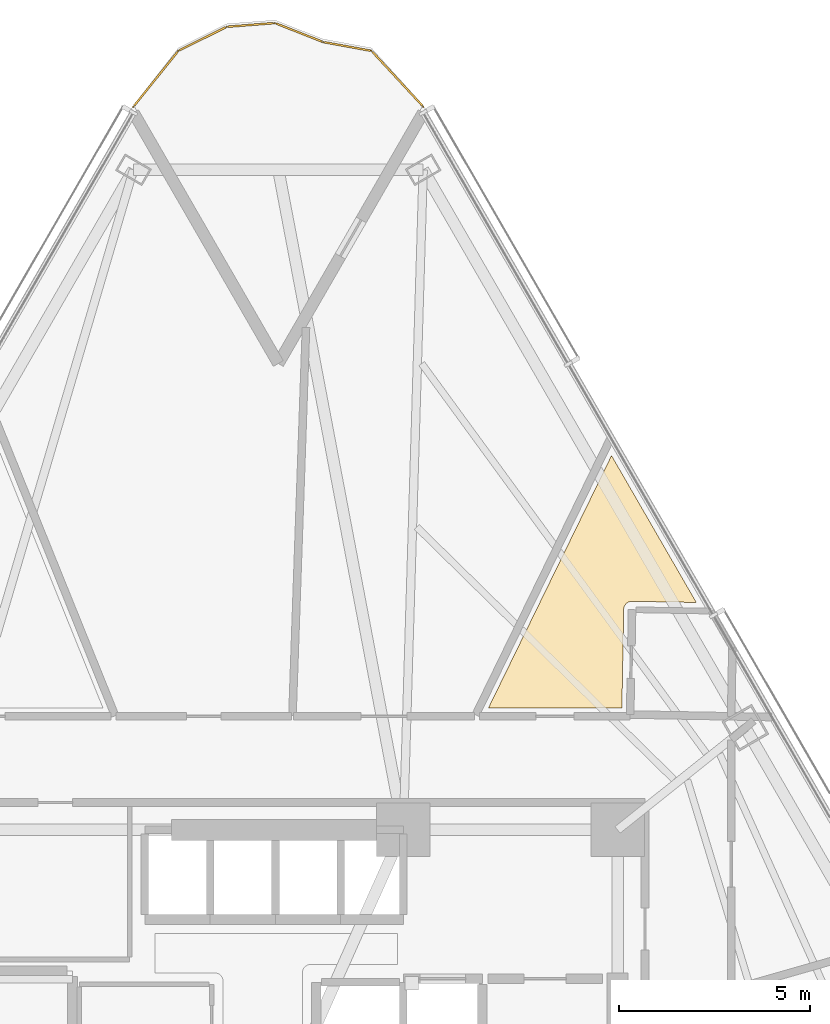
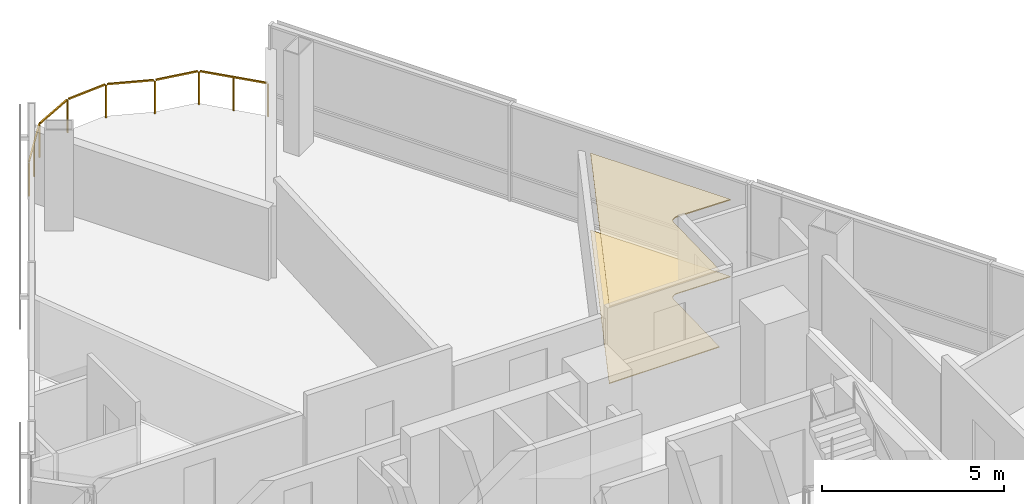
# One storey, part 16 of 16: 2 coverings, 1 railing.
"""IFC4 building model written with IfcOpenShell, lengths in metres."""

from ifc_helpers import new_model, si_unit, direction, frame, origin, origin_2d, place, context, subcontext, project, spatial, polyline, rectangle, outline, extrude, material, layer, layer_set, type_object, element, save


model = new_model("IFC4")

# Units and contexts
model_context = context("Model", 3, precision=1e-05, world=origin(), true_north=direction((0.0, 1.0)))
body_context = subcontext(model_context, "Body", "Model", "MODEL_VIEW")
ifc_project = project(units=[si_unit("LENGTHUNIT", "METRE"), si_unit("AREAUNIT", "SQUARE_METRE"), si_unit("VOLUMEUNIT", "CUBIC_METRE"), si_unit("PLANEANGLEUNIT", "RADIAN"), si_unit("MASSUNIT", "GRAM", prefix="KILO")], contexts=[model_context])

# Site, building, storey
site_placement = place(None, origin())
site = spatial("IfcSite", under=ifc_project, at=site_placement, CompositionType="ELEMENT")
building_placement = place(site_placement, origin())
building = spatial("IfcBuilding", under=site, at=building_placement, Name="Tharavind Bronze Gate", CompositionType="ELEMENT")
storey_placement = place(building_placement, frame((0.0, 0.0, 45.449951171875)))
storey = spatial("IfcBuildingStorey", under=building, at=storey_placement, Name="L10", CompositionType="ELEMENT", Elevation=45.449951171875)

# Coverings
ifc_material_1 = material(Name="Engineered Oak & Carpet Tile", Category="wood")
ifc_layer_1 = layer(ifc_material_1, 0.02490234375)
ifc_layer_set_1 = layer_set([ifc_layer_1], Name="Engineered Oak & Carpet Tile")
covering_type_1 = type_object("IfcCoveringType", Name="ENGINEERED TIMBER FLOORING", PredefinedType="FLOORING", material=ifc_layer_set_1)
covering_1_placement = place(storey_placement, origin())
element("IfcCovering", 1, at=covering_1_placement, inside=storey, type_object=covering_type_1, Name="L10-RM-02 floor finish", PredefinedType="FLOORING", context=body_context, shape_type="SweptSolid", body=[
    extrude(outline(polyline([(9.013427734375, 10.800048828125), (9.06005859375, 13.381103515625), (9.061279296875, 13.40283203125), (9.06494140625, 13.424072265625), (9.070556640625, 13.44482421875), (9.078125, 13.465087890625), (9.087890625, 13.484619140625), (9.099365234375, 13.502685546875), (9.1123046875, 13.52001953125), (9.127197265625, 13.53564453125), (9.1435546875, 13.5498046875), (9.160888671875, 13.5625), (9.1796875, 13.572998046875), (9.199462890625, 13.58203125), (9.219970703125, 13.5888671875), (9.240966796875, 13.59375), (9.26220703125, 13.5966796875), (9.283935546875, 13.59716796875), (10.9658203125, 13.56689453125), (8.7412109375, 17.419921875), (5.51220703125, 10.800048828125), (9.013427734375, 10.800048828125)])), origin(), (0.0, 0.0, 1.0), 0.025146484375),
])
ifc_material_2 = material(Name="Acoustic Gypsum Board", Category="gypsum")
ifc_layer_2 = layer(ifc_material_2, 0.030029296875)
ifc_layer_set_2 = layer_set([ifc_layer_2], Name="Acoustic Gypsum Board")
covering_type_2 = type_object("IfcCoveringType", Name="GYPSUM SUSPENDED CEILING", PredefinedType="CEILING", material=ifc_layer_set_2)
covering_2_placement = place(storey_placement, frame((0.0, 0.0, 2.574951171875)))
element("IfcCovering", 2, at=covering_2_placement, inside=storey, type_object=covering_type_2, Name="L10-RM-02 suspended ceiling", PredefinedType="CEILING", context=body_context, shape_type="SweptSolid", body=[
    extrude(outline(polyline([(9.013427734375, 10.800048828125), (9.06005859375, 13.381103515625), (9.061279296875, 13.40283203125), (9.06494140625, 13.424072265625), (9.070556640625, 13.44482421875), (9.078125, 13.465087890625), (9.087890625, 13.484619140625), (9.099365234375, 13.502685546875), (9.1123046875, 13.52001953125), (9.127197265625, 13.53564453125), (9.1435546875, 13.5498046875), (9.160888671875, 13.5625), (9.1796875, 13.572998046875), (9.199462890625, 13.58203125), (9.219970703125, 13.5888671875), (9.240966796875, 13.59375), (9.26220703125, 13.5966796875), (9.283935546875, 13.59716796875), (10.9658203125, 13.56689453125), (8.7412109375, 17.419921875), (5.51220703125, 10.800048828125), (9.013427734375, 10.800048828125)])), origin(), (0.0, 0.0, 1.0), 0.03515625),
])

# Railing
ifc_material_3 = material(Name="Bronze Cap & Laminated Glass", Category="glass")
railing_type = type_object("IfcRailingType", Name="TERRACE GLASS GUARD RAILING 1150", PredefinedType="GUARDRAIL", material=ifc_material_3)
railing_placement = place(storey_placement, frame((-3.800048828125, 26.578125, 0.0)))
element("IfcRailing", 3, at=railing_placement, inside=storey, type_object=railing_type, Name="L10 tree balcony guard railing", PredefinedType="GUARDRAIL", context=body_context, shape_type="SweptSolid", body=[
    extrude(rectangle(XDim=0.048095703125, YDim=0.048095703125, at=origin_2d()), frame((0.02001953125, 0.02490234375, 1.1259765625), z_axis=(0.627706650624, 0.778449973192, 0.0), x_axis=(-0.778449973192, 0.627706650624, 0.0)), (0.0, 0.0, 1.0), 1.8115234375),
    extrude(rectangle(XDim=0.048095703125, YDim=0.048095703125, at=origin_2d()), frame((1.205810546875, 1.47412109375, 1.1259765625), z_axis=(0.89511626958, 0.445832775751, 0.0), x_axis=(-0.445832775751, 0.89511626958, 0.0)), (0.0, 0.0, 1.0), 1.35107421875),
    extrude(rectangle(XDim=0.048095703125, YDim=0.048095703125, at=origin_2d()), frame((2.475830078125, 2.09326171875, 1.1259765625), z_axis=(0.996951873955, 0.078018978571, 0.0), x_axis=(-0.078018978571, 0.996951873955, 0.0)), (0.0, 0.0, 1.0), 1.20654296875),
    extrude(rectangle(XDim=0.048095703125, YDim=0.048095703125, at=origin_2d()), frame((3.740234375, 2.17822265625, 1.1259765625), z_axis=(0.930539907569, -0.366190497448, 0.0), x_axis=(0.366190497448, 0.930539907569, 0.0)), (0.0, 0.0, 1.0), 1.29736328125),
    extrude(rectangle(XDim=0.048095703125, YDim=0.048095703125, at=origin_2d()), frame((5.0087890625, 1.685546875, 1.1259765625), z_axis=(0.983711769564, -0.179753037307, 0.0), x_axis=(0.179753037307, 0.983711769564, 0.0)), (0.0, 0.0, 1.0), 1.2236328125),
    extrude(rectangle(XDim=0.048095703125, YDim=0.048095703125, at=origin_2d()), frame((6.265625, 1.4365234375, 1.1259765625), z_axis=(0.680592067339, -0.732662567541, 0.0), x_axis=(0.732662567541, 0.680592067339, 0.0)), (0.0, 0.0, 1.0), 1.9287109375),
    extrude(rectangle(XDim=0.0400390625, YDim=0.0400390625, at=origin_2d()), origin(), (0.0, 0.0, 1.0), 1.097900390625),
    extrude(rectangle(XDim=0.0400390625, YDim=0.0400390625, at=origin_2d()), frame((0.588623046875, 0.72998046875, 0.0)), (0.0, 0.0, 1.0), 1.097900390625),
    extrude(rectangle(XDim=0.0400390625, YDim=0.0400390625, at=origin_2d()), frame((1.17724609375, 1.4599609375, 0.0)), (0.0, 0.0, 1.0), 1.097900390625),
    extrude(rectangle(XDim=0.0400390625, YDim=0.0400390625, at=origin_2d()), frame((2.44384765625, 2.0908203125, 0.0)), (0.0, 0.0, 1.0), 1.097900390625),
    extrude(rectangle(XDim=0.0400390625, YDim=0.0400390625, at=origin_2d()), frame((3.71044921875, 2.18994140625, 0.0)), (0.0, 0.0, 1.0), 1.097900390625),
    extrude(rectangle(XDim=0.0400390625, YDim=0.0400390625, at=origin_2d()), frame((4.977294921875, 1.69140625, 0.0)), (0.0, 0.0, 1.0), 1.097900390625),
    extrude(rectangle(XDim=0.0400390625, YDim=0.0400390625, at=origin_2d()), frame((6.243896484375, 1.4599609375, 0.0)), (0.0, 0.0, 1.0), 1.097900390625),
    extrude(rectangle(XDim=0.0400390625, YDim=0.0400390625, at=origin_2d()), frame((6.921875, 0.72998046875, 0.0)), (0.0, 0.0, 1.0), 1.097900390625),
    extrude(rectangle(XDim=0.0400390625, YDim=0.0400390625, at=origin_2d()), frame((7.60009765625, 0.0, 0.0)), (0.0, 0.0, 1.0), 1.097900390625),
])

save(model, "model.ifc")
